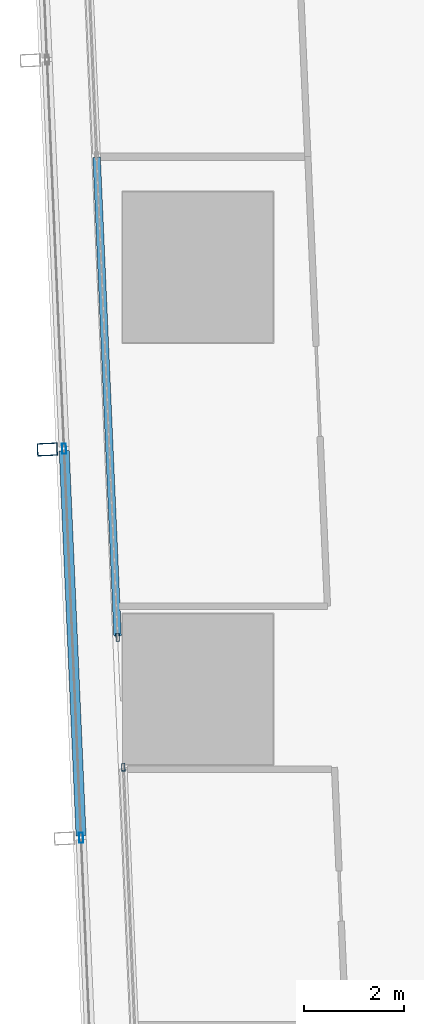
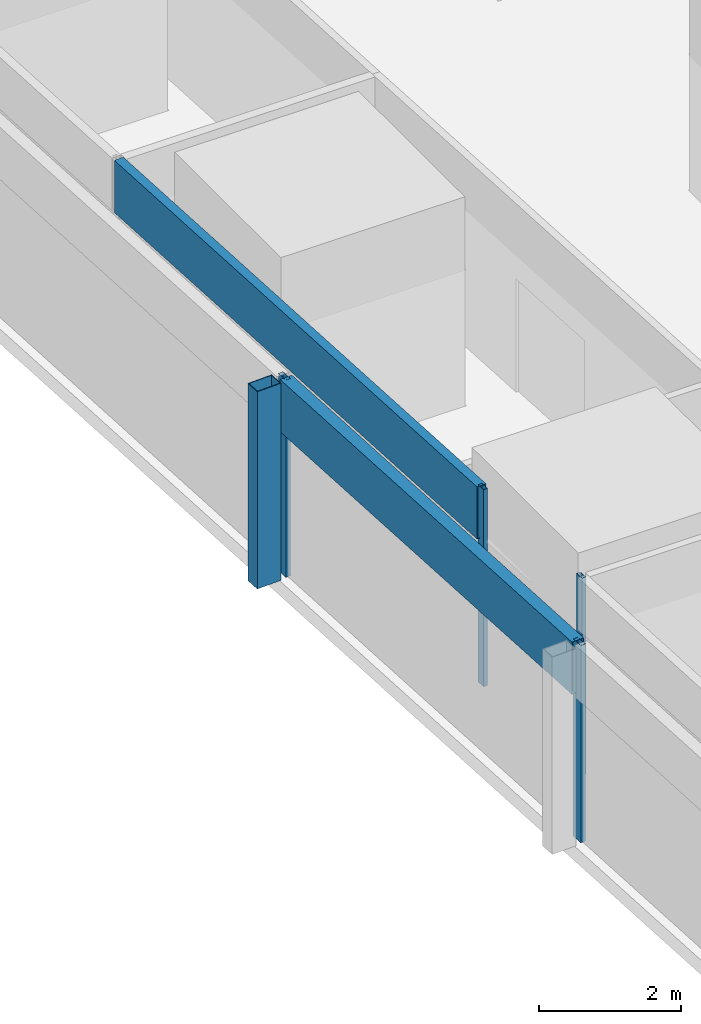
# One storey, part 7 of 44: 7 members, 3 elements without a shape of their own.
"""IFC4 building model written with IfcOpenShell, lengths in metres."""

from ifc_helpers import new_model, si_unit, direction, frame, origin, origin_2d, place, context, subcontext, project, spatial, hollow_rectangle, extrude, material, material_profile, profile_set, type_object, element, aggregate, save


model = new_model("IFC4")

# Units and contexts
model_context = context("Model", 3, precision=1e-05, world=origin(), true_north=direction((0.0, 1.0)))
body_context = subcontext(model_context, "Body", "Model", "MODEL_VIEW")
ifc_project = project(units=[si_unit("LENGTHUNIT", "METRE"), si_unit("AREAUNIT", "SQUARE_METRE"), si_unit("VOLUMEUNIT", "CUBIC_METRE"), si_unit("PLANEANGLEUNIT", "RADIAN"), si_unit("MASSUNIT", "GRAM", prefix="KILO")], contexts=[model_context])

# Site, building, storey
site_placement = place(None, origin())
site = spatial("IfcSite", under=ifc_project, at=site_placement, CompositionType="ELEMENT")
building_placement = place(site_placement, origin())
building = spatial("IfcBuilding", under=site, at=building_placement, Name="Rekha Terrace Tower", CompositionType="ELEMENT")
storey_placement = place(building_placement, frame((0.0, 0.0, 81.64990234375)))
storey = spatial("IfcBuildingStorey", under=building, at=storey_placement, Name="L20", CompositionType="ELEMENT", Elevation=81.64990234375)

# Curtain wall, member
ifc_material_1 = material(Name="Aluminium framing", Category="aluminium")
curtain_wall_type_1 = type_object("IfcCurtainWallType", Name="CW2 double skin outer glazing", PredefinedType="USERDEFINED", material=ifc_material_1)
curtain_wall_1_placement = place(storey_placement, origin())
curtain_wall_1 = element("IfcCurtainWall", 1, at=curtain_wall_1_placement, inside=storey, type_object=curtain_wall_type_1, Name="CW2 double skin outer glazing", ObjectType="DOUBLE SKIN OUTER GLAZING", PredefinedType="USERDEFINED")
ifc_material_2 = material(Name="Steel S355 with fluorocarbon finish", Category="steel")
ifc_material_profile_1 = material_profile(ifc_material_2, hollow_rectangle(XDim=0.25, YDim=0.39990234375, WallThickness=0.012451171875, at=origin_2d()), Name="RHS400x250x12.5")
ifc_profile_set_1 = profile_set([ifc_material_profile_1], Name="Steel S355 with fluorocarbon finish")
member_type_1 = type_object("IfcMemberType", Name="BL1 facade blade RHS 400 x 250", PredefinedType="USERDEFINED", material=ifc_profile_set_1)
member_1_placement = place(storey_placement, frame((5.40283203125, 29.97119140625, 0.0), z_axis=(0.0, 0.0, 1.0), x_axis=(0.04368215933, -0.999045478923, 0.0)))
member_1 = element("IfcMember", 2, at=member_1_placement, type_object=member_type_1, Name="Facade blade", ObjectType="FACADE BLADE", PredefinedType="USERDEFINED", context=body_context, shape_type="SweptSolid", body=[
    extrude(hollow_rectangle(XDim=0.25, YDim=0.39990234375, WallThickness=0.012451171875, at=origin_2d()), origin(), (0.0, 0.0, 1.0), 3.400146484375),
])

curtain_wall_type_2 = type_object("IfcCurtainWallType", Name="CW1 double skin inner glazing", PredefinedType="USERDEFINED", material=ifc_material_1)
curtain_wall_2_placement = place(storey_placement, origin())
curtain_wall_2 = element("IfcCurtainWall", 3, at=curtain_wall_2_placement, inside=storey, type_object=curtain_wall_type_2, Name="CW1 double skin inner glazing", ObjectType="DOUBLE SKIN INNER GLAZING", PredefinedType="USERDEFINED")
ifc_material_3 = material(Name="Aluminium mullion section", Category="aluminium")
ifc_material_profile_2 = material_profile(ifc_material_3, hollow_rectangle(XDim=0.06494140625, YDim=0.14990234375, WallThickness=0.00390625, at=origin_2d()), Name="AL RHS 65x150")
ifc_profile_set_2 = profile_set([ifc_material_profile_2], Name="Aluminium mullion section")
member_type_2 = type_object("IfcMemberType", Name="CW1 mullion RHS 65 x 150", PredefinedType="MULLION", material=ifc_profile_set_2)
member_2_placement = place(storey_placement, frame((6.802734375, 26.227783203125, 0.0), z_axis=(0.0, 0.0, 1.0), x_axis=(0.999045462133, 0.04368254332, 0.0)))
member_2 = element("IfcMember", 4, at=member_2_placement, type_object=member_type_2, Name="CW1 mullion 3", PredefinedType="MULLION", context=body_context, shape_type="SweptSolid", body=[
    extrude(hollow_rectangle(XDim=0.06494140625, YDim=0.14990234375, WallThickness=0.00390625, at=origin_2d()), origin(), (0.0, 0.0, 1.0), 3.400146484375),
])

curtain_wall_3_placement = place(storey_placement, origin())
curtain_wall_3 = element("IfcCurtainWall", 5, at=curtain_wall_3_placement, inside=storey, type_object=curtain_wall_type_2, Name="CW1 double skin inner glazing", ObjectType="DOUBLE SKIN INNER GLAZING", PredefinedType="USERDEFINED")
member_3_placement = place(storey_placement, frame((6.915771484375, 23.643310546875, 0.0), z_axis=(0.0, 0.0, 1.0), x_axis=(0.999045462129, 0.043682543407, 0.0)))
member_3 = element("IfcMember", 6, at=member_3_placement, type_object=member_type_2, Name="CW1 mullion 1", PredefinedType="MULLION", context=body_context, shape_type="SweptSolid", body=[
    extrude(hollow_rectangle(XDim=0.06494140625, YDim=0.14990234375, WallThickness=0.00390625, at=origin_2d()), origin(), (0.0, 0.0, 1.0), 3.400146484375),
])
aggregate(curtain_wall_3, [member_3])

# Member
ifc_material_4 = material(Name="Insulated aluminium spandrel box", Category="aluminium")
ifc_material_profile_3 = material_profile(ifc_material_4, hollow_rectangle(XDim=0.14990234375, YDim=0.89990234375, WallThickness=0.0029296875, at=origin_2d()), Name="AL SPANDREL BOX 150x900")
ifc_profile_set_3 = profile_set([ifc_material_profile_3], Name="Insulated aluminium spandrel box")
member_type_3 = type_object("IfcMemberType", Name="CW1 spandrel transom 150 x 900", PredefinedType="USERDEFINED", material=ifc_profile_set_3)
member_4_placement = place(storey_placement, frame((6.384765625, 35.787109375, 2.9501953125), z_axis=(0.043677206613, -0.999045695463, 0.0), x_axis=(0.999045695463, 0.043677206613, 0.0)))
member_4 = element("IfcMember", 7, at=member_4_placement, type_object=member_type_3, Name="CW1 spandrel transom 2", ObjectType="TRANSOM", PredefinedType="USERDEFINED", context=body_context, shape_type="SweptSolid", body=[
    extrude(hollow_rectangle(XDim=0.14990234375, YDim=0.89990234375, WallThickness=0.0029296875, at=origin_2d()), origin(), (0.0, 0.0, 1.0), 9.535888671875),
])

aggregate(curtain_wall_2, [member_2, member_4])

ifc_material_profile_4 = material_profile(ifc_material_3, hollow_rectangle(XDim=0.080078125, YDim=0.199951171875, WallThickness=0.00390625, at=origin_2d()), Name="AL RHS 80x200")
ifc_profile_set_4 = profile_set([ifc_material_profile_4], Name="Aluminium mullion section")
member_type_4 = type_object("IfcMemberType", Name="CW2 mullion RHS 80 x 200", PredefinedType="MULLION", material=ifc_profile_set_4)
member_5_placement = place(storey_placement, frame((5.737548828125, 29.98583984375, 0.0), z_axis=(0.0, 0.0, 1.0), x_axis=(0.999045462131, 0.043682543372, 0.0)))
member_5 = element("IfcMember", 8, at=member_5_placement, type_object=member_type_4, Name="CW2 mullion 3", PredefinedType="MULLION", context=body_context, shape_type="SweptSolid", body=[
    extrude(hollow_rectangle(XDim=0.080078125, YDim=0.199951171875, WallThickness=0.00390625, at=origin_2d()), origin(), (0.0, 0.0, 1.0), 3.400146484375),
])

member_6_placement = place(storey_placement, frame((6.076171875, 22.241455078125, 0.0), z_axis=(0.0, 0.0, 1.0), x_axis=(0.999045462131, 0.043682543372, 0.0)))
member_6 = element("IfcMember", 9, at=member_6_placement, type_object=member_type_4, Name="CW2 mullion 4", PredefinedType="MULLION", context=body_context, shape_type="SweptSolid", body=[
    extrude(hollow_rectangle(XDim=0.080078125, YDim=0.199951171875, WallThickness=0.00390625, at=origin_2d()), origin(), (0.0, 0.0, 1.0), 3.400146484375),
])

ifc_material_profile_5 = material_profile(ifc_material_4, hollow_rectangle(XDim=0.199951171875, YDim=0.89990234375, WallThickness=0.0029296875, at=origin_2d()), Name="AL SPANDREL BOX 200x900")
ifc_profile_set_5 = profile_set([ifc_material_profile_5], Name="Insulated aluminium spandrel box")
member_type_5 = type_object("IfcMemberType", Name="CW2 spandrel transom 200 x 900", PredefinedType="USERDEFINED", material=ifc_profile_set_5)
member_7_placement = place(storey_placement, frame((5.7392578125, 29.94580078125, 2.9501953125), z_axis=(0.04369270591, -0.99904501773, 0.0), x_axis=(0.99904501773, 0.04369270591, 0.0)))
member_7 = element("IfcMember", 10, at=member_7_placement, type_object=member_type_5, Name="CW2 spandrel transom 3", ObjectType="TRANSOM", PredefinedType="USERDEFINED", context=body_context, shape_type="SweptSolid", body=[
    extrude(hollow_rectangle(XDim=0.199951171875, YDim=0.89990234375, WallThickness=0.0029296875, at=origin_2d()), origin(), (0.0, 0.0, 1.0), 7.671875),
])

aggregate(curtain_wall_1, [member_5, member_6, member_7, member_1])

save(model, "model.ifc")
